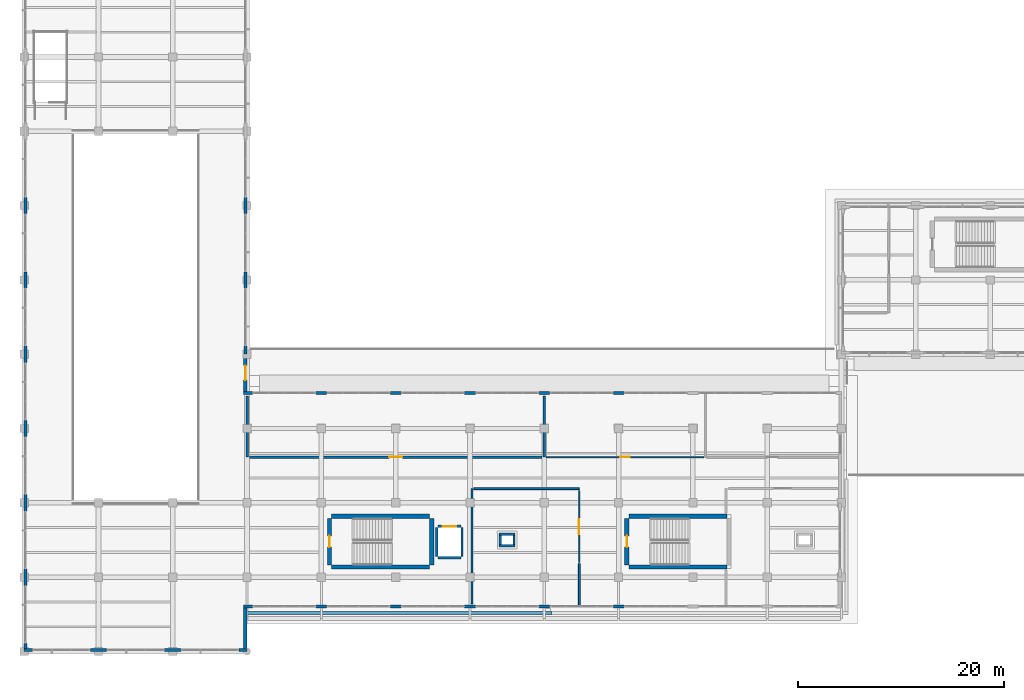
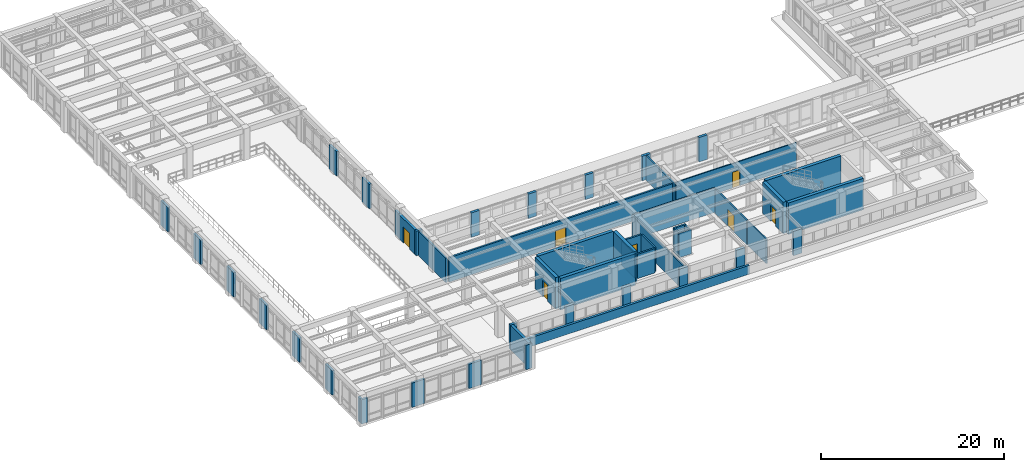
# One storey, part 47 of 67: 52 walls, 7 doors, 7 openings.
"""IFC4 building model written with IfcOpenShell, lengths in metres."""

from ifc_helpers import new_model, si_unit, direction, frame, frame_2d, origin, place, context, subcontext, project, spatial, rectangle, extrude, material, layer, layer_set, type_object, element, fill, save


model = new_model("IFC4")

# Units and contexts
model_context = context("Model", 3, precision=1e-05, world=origin(), true_north=direction((0.0, 1.0)))
body_context = subcontext(model_context, "Body", "Model", "MODEL_VIEW")
ifc_project = project(units=[si_unit("LENGTHUNIT", "METRE"), si_unit("AREAUNIT", "SQUARE_METRE"), si_unit("VOLUMEUNIT", "CUBIC_METRE"), si_unit("PLANEANGLEUNIT", "RADIAN"), si_unit("MASSUNIT", "GRAM", prefix="KILO")], contexts=[model_context])

# Site, building, storey
site_placement = place(None, origin())
site = spatial("IfcSite", under=ifc_project, at=site_placement, CompositionType="ELEMENT")
building_placement = place(site_placement, origin())
building = spatial("IfcBuilding", under=site, at=building_placement, Name="Solenvale Faculty of Natural Sciences", CompositionType="ELEMENT")
storey_placement = place(building_placement, frame((0.0, 0.0, 13.5)))
storey = spatial("IfcBuildingStorey", under=building, at=storey_placement, Name="L03", CompositionType="ELEMENT", Elevation=13.5)

# Walls
ifc_material_1 = material(Name="Architectural bronze concrete 40 MPa", Category="concrete")
ifc_layer_1 = layer(ifc_material_1, 0.300048828125)
ifc_layer_set_1 = layer_set([ifc_layer_1], Name="Architectural bronze concrete 40 MPa")
wall_type_1 = type_object("IfcWallType", Name="WL-EXT-BRZ-300", PredefinedType="STANDARD", material=ifc_layer_set_1)
wall_1_placement = place(storey_placement, frame((87.152099609375, 18.134033203125, 0.0), z_axis=(0.0, 0.0, 1.0), x_axis=(-0.999999990118, -0.00014058533, 0.0)))
element("IfcWall", 1, at=wall_1_placement, inside=storey, type_object=wall_type_1, Name="L03 Sliding-Tray Rough Bronze Concrete Band 3", PredefinedType="PARAPET", context=body_context, shape_type="SweptSolid", body=[
    extrude(rectangle(XDim=29.522216796875, YDim=0.300048828125, at=frame_2d((14.76123046875, 0.0))), origin(), (0.0, 0.0, 1.0), 1.179931640625),
])
ifc_layer_2 = layer(ifc_material_1, 0.324951171875)
ifc_layer_set_2 = layer_set([ifc_layer_2], Name="Architectural bronze concrete 40 MPa")
wall_type_2 = type_object("IfcWallType", Name="WL-EXT-BRZ-325", PredefinedType="STANDARD", material=ifc_layer_set_2)
wall_2_placement = place(storey_placement, frame((57.27001953125, 18.762451171875, 0.0), z_axis=(0.0, 0.0, 1.0), x_axis=(1.0, 0.0, 0.0)))
element("IfcWall", 2, at=wall_2_placement, inside=storey, type_object=wall_type_2, Name="L03 Facade Closure Pier 6.B1-L", PredefinedType="STANDARD", context=body_context, shape_type="SweptSolid", body=[
    extrude(rectangle(XDim=0.847900390625, YDim=0.324951171875, at=frame_2d((0.423828125, 0.0))), origin(), (0.0, 0.0, 1.0), 3.260009765625),
])
for number, where, z_axis, x_axis, name in (
    (3, (64.281982421875, 18.762451171875, 0.0), (0.0, 0.0, 1.0), (1.0, 0.0, 0.0), "L03 Facade Closure Pier 6.B1-R"),
    (4, (71.48193359375, 18.762451171875, 0.0), (0.0, 0.0, 1.0), (1.0, 0.0, 0.0), "L03 Facade Closure Pier 6.B2-R"),
    (5, (78.681884765625, 18.762451171875, 0.0), (0.0, 0.0, 1.0), (1.0, 0.0, 0.0), "L03 Facade Closure Pier 6.B3-R"),
):
    element("IfcWall", number, at=place(storey_placement, frame(where, z_axis=z_axis, x_axis=x_axis)), inside=storey, type_object=wall_type_2, Name=name, PredefinedType="STANDARD", context=body_context, shape_type="SweptSolid", body=[
        extrude(rectangle(XDim=1.0361328125, YDim=0.324951171875, at=frame_2d((0.51806640625, 0.0))), origin(), (0.0, 0.0, 1.0), 3.260009765625),
    ])
for number, where, z_axis, x_axis, name in (
    (6, (85.882080078125, 18.762451171875, 0.0), (0.0, 0.0, 1.0), (1.0, 0.0, 0.0), "L03 Facade Closure Pier 6.B4-R"),
    (7, (93.08203125, 18.762451171875, 0.0), (0.0, 0.0, 1.0), (1.0, 0.0, 0.0), "L03 Facade Closure Pier 6.B5-R"),
    (8, (94.117919921875, 39.4375, 0.0), (0.0, 0.0, 1.0), (-1.0, 0.0, 0.0), "L03 Facade Closure Pier 8.B3-R"),
    (9, (86.91796875, 39.4375, 0.0), (0.0, 0.0, 1.0), (-1.0, 0.0, 0.0), "L03 Facade Closure Pier 8.B4-R"),
):
    element("IfcWall", number, at=place(storey_placement, frame(where, z_axis=z_axis, x_axis=x_axis)), inside=storey, type_object=wall_type_2, Name=name, PredefinedType="STANDARD", context=body_context, shape_type="SweptSolid", body=[
        extrude(rectangle(XDim=1.035888671875, YDim=0.324951171875, at=frame_2d((0.51806640625, 0.0))), origin(), (0.0, 0.0, 1.0), 3.260009765625),
    ])
for number, where, z_axis, x_axis, name in (
    (10, (79.718017578125, 39.4375, 0.0), (0.0, 0.0, 1.0), (-1.0, 0.0, 0.0), "L03 Facade Closure Pier 8.B5-R"),
    (11, (72.51806640625, 39.4375, 0.0), (0.0, 0.0, 1.0), (-1.0, 0.0, 0.0), "L03 Facade Closure Pier 8.B6-R"),
    (12, (65.318115234375, 39.4375, 0.0), (0.0, 0.0, 1.0), (-1.0, 0.0, 0.0), "L03 Facade Closure Pier 8.B7-R"),
):
    element("IfcWall", number, at=place(storey_placement, frame(where, z_axis=z_axis, x_axis=x_axis)), inside=storey, type_object=wall_type_2, Name=name, PredefinedType="STANDARD", context=body_context, shape_type="SweptSolid", body=[
        extrude(rectangle(XDim=1.0361328125, YDim=0.324951171875, at=frame_2d((0.51806640625, 0.0))), origin(), (0.0, 0.0, 1.0), 3.260009765625),
    ])
wall_3_placement = place(storey_placement, frame((58.117919921875, 39.4375, 0.0), z_axis=(0.0, 0.0, 1.0), x_axis=(-1.0, 0.0, 0.0)))
element("IfcWall", 13, at=wall_3_placement, inside=storey, type_object=wall_type_2, Name="L03 Facade Closure Pier 8.B8-R", PredefinedType="STANDARD", context=body_context, shape_type="SweptSolid", body=[
    extrude(rectangle(XDim=0.847900390625, YDim=0.324951171875, at=frame_2d((0.423828125, 0.0))), origin(), (0.0, 0.0, 1.0), 3.260009765625),
])
ifc_material_2 = material(Name="Precast concrete 40 MPa", Category="concrete")
ifc_layer_3 = layer(ifc_material_2, 0.284912109375)
ifc_layer_set_3 = layer_set([ifc_layer_3], Name="Precast concrete 40 MPa")
wall_type_3 = type_object("IfcWallType", Name="WL-EXT-PRC-285", PredefinedType="STANDARD", material=ifc_layer_set_3)
wall_4_placement = place(storey_placement, frame((57.45751953125, 43.199951171875, 0.0), z_axis=(0.0, 0.0, 1.0), x_axis=(0.0, 1.0, 0.0)))
element("IfcWall", 14, at=wall_4_placement, inside=storey, type_object=wall_type_3, Name="L03 Facade Closure Pier 1.B2-L", PredefinedType="STANDARD", context=body_context, shape_type="SweptSolid", body=[
    extrude(rectangle(XDim=0.7880859375, YDim=0.284912109375, at=frame_2d((0.39404296875, 0.0))), origin(), (0.0, 0.0, 1.0), 3.260009765625),
])
for number, where, z_axis, x_axis, name in (
    (15, (57.45751953125, 49.612060546875, 0.0), (0.0, 0.0, 1.0), (0.0, 1.0, 0.0), "L03 Facade Closure Pier 1.B2-R"),
    (16, (57.45751953125, 56.81201171875, 0.0), (0.0, 0.0, 1.0), (0.0, 1.0, 0.0), "L03 Facade Closure Pier 1.B3-R"),
    (17, (36.142578125, 58.387939453125, 0.0), (0.0, 0.0, 1.0), (0.0, -1.0, 0.0), "L03 Facade Closure Pier 3.B5-R"),
    (18, (36.142578125, 51.18798828125, 0.0), (0.0, 0.0, 1.0), (0.0, -1.0, 0.0), "L03 Facade Closure Pier 3.B6-R"),
    (19, (36.142578125, 43.988037109375, 0.0), (0.0, 0.0, 1.0), (0.0, -1.0, 0.0), "L03 Facade Closure Pier 3.B7-R"),
):
    element("IfcWall", number, at=place(storey_placement, frame(where, z_axis=z_axis, x_axis=x_axis)), inside=storey, type_object=wall_type_3, Name=name, PredefinedType="STANDARD", context=body_context, shape_type="SweptSolid", body=[
        extrude(rectangle(XDim=1.575927734375, YDim=0.284912109375, at=frame_2d((0.7880859375, 0.0))), origin(), (0.0, 0.0, 1.0), 3.260009765625),
    ])
wall_5_placement = place(storey_placement, frame((36.142578125, 36.7880859375, 0.0), z_axis=(0.0, 0.0, 1.0), x_axis=(0.0, -1.0, 0.0)))
element("IfcWall", 20, at=wall_5_placement, inside=storey, type_object=wall_type_3, Name="L03 Facade Closure Pier 3.B8-R", PredefinedType="STANDARD", context=body_context, shape_type="SweptSolid", body=[
    extrude(rectangle(XDim=1.576171875, YDim=0.284912109375, at=frame_2d((0.7880859375, 0.0))), origin(), (0.0, 0.0, 1.0), 3.260009765625),
])
for number, where, z_axis, x_axis, name in (
    (21, (36.142578125, 29.587890625, 0.0), (0.0, 0.0, 1.0), (0.0, -1.0, 0.0), "L03 Facade Closure Pier 3.B9-R"),
    (22, (36.142578125, 22.387939453125, 0.0), (0.0, 0.0, 1.0), (0.0, -1.0, 0.0), "L03 Facade Closure Pier 3.B10-R"),
):
    element("IfcWall", number, at=place(storey_placement, frame(where, z_axis=z_axis, x_axis=x_axis)), inside=storey, type_object=wall_type_3, Name=name, PredefinedType="STANDARD", context=body_context, shape_type="SweptSolid", body=[
        extrude(rectangle(XDim=1.575927734375, YDim=0.284912109375, at=frame_2d((0.7880859375, 0.0))), origin(), (0.0, 0.0, 1.0), 3.260009765625),
    ])
wall_6_placement = place(storey_placement, frame((36.142578125, 15.18798828125, 0.0), z_axis=(0.0, 0.0, 1.0), x_axis=(0.0, -1.0, 0.0)))
element("IfcWall", 23, at=wall_6_placement, inside=storey, type_object=wall_type_3, Name="L03 Facade Closure Pier 3.B11-R", PredefinedType="STANDARD", context=body_context, shape_type="SweptSolid", body=[
    extrude(rectangle(XDim=0.5029296875, YDim=0.284912109375, at=frame_2d((0.25146484375, 0.0))), origin(), (0.0, 0.0, 1.0), 3.260009765625),
])
wall_7_placement = place(storey_placement, frame((36.0, 14.54248046875, 0.0), z_axis=(0.0, 0.0, 1.0), x_axis=(1.0, 0.0, 0.0)))
element("IfcWall", 24, at=wall_7_placement, inside=storey, type_object=wall_type_3, Name="L03 Facade Closure Pier 4.B1-L", PredefinedType="STANDARD", context=body_context, shape_type="SweptSolid", body=[
    extrude(rectangle(XDim=0.7880859375, YDim=0.284912109375, at=frame_2d((0.39404296875, 0.0))), origin(), (0.0, 0.0, 1.0), 3.260009765625),
])
for number, where, z_axis, x_axis, name in (
    (25, (42.412109375, 14.54248046875, 0.0), (0.0, 0.0, 1.0), (1.0, 0.0, 0.0), "L03 Facade Closure Pier 4.B1-R"),
    (26, (49.612060546875, 14.54248046875, 0.0), (0.0, 0.0, 1.0), (1.0, 0.0, 0.0), "L03 Facade Closure Pier 4.B2-R"),
):
    element("IfcWall", number, at=place(storey_placement, frame(where, z_axis=z_axis, x_axis=x_axis)), inside=storey, type_object=wall_type_3, Name=name, PredefinedType="STANDARD", context=body_context, shape_type="SweptSolid", body=[
        extrude(rectangle(XDim=1.575927734375, YDim=0.284912109375, at=frame_2d((0.7880859375, 0.0))), origin(), (0.0, 0.0, 1.0), 3.260009765625),
    ])
wall_8_placement = place(storey_placement, frame((56.81201171875, 14.54248046875, 0.0), z_axis=(0.0, 0.0, 1.0), x_axis=(1.0, 0.0, 0.0)))
element("IfcWall", 27, at=wall_8_placement, inside=storey, type_object=wall_type_3, Name="L03 Facade Closure Pier 4.B3-R", PredefinedType="STANDARD", context=body_context, shape_type="SweptSolid", body=[
    extrude(rectangle(XDim=0.7880859375, YDim=0.284912109375, at=frame_2d((0.39404296875, 0.0))), origin(), (0.0, 0.0, 1.0), 3.260009765625),
])

# Wall, opening, door
ifc_layer_4 = layer(ifc_material_2, 0.330078125)
ifc_layer_set_4 = layer_set([ifc_layer_4], Name="Precast concrete 40 MPa")
wall_type_4 = type_object("IfcWallType", Name="WL-EXT-PRC-330", PredefinedType="STANDARD", material=ifc_layer_set_4)
wall_9_placement = place(storey_placement, frame((57.43505859375, 43.199951171875, 0.0), z_axis=(0.0, 0.0, 1.0), x_axis=(0.0, -1.0, 0.0)))
wall_9 = element("IfcWall", 28, at=wall_9_placement, inside=storey, type_object=wall_type_4, Name="L03 Exterior Wall 1.1", PredefinedType="STANDARD", context=body_context, shape_type="SweptSolid", body=[
    extrude(rectangle(XDim=3.599853515625, YDim=0.330078125, at=frame_2d((1.7998046875, 0.0))), origin(), (0.0, 0.0, 1.0), 3.260009765625),
])
opening_1_placement = place(wall_9_placement, frame((1.10009765625, 0.0, 0.0)))
opening_1 = element("IfcOpeningElement", 29, at=opening_1_placement, cuts=wall_9, Name="Opening TD-39", PredefinedType="OPENING", context=body_context, shape_type="SweptSolid", body=[
    extrude(rectangle(XDim=1.39990234375, YDim=2.14990234375, at=frame_2d((0.699951171875, 1.074951171875))), frame((0.0, 0.175048828125, 0.0), z_axis=(0.0, -1.0, 0.0), x_axis=(1.0, 0.0, 0.0)), (0.0, 0.0, 1.0), 0.35009765625),
])
ifc_material_3 = material(Name="Anodised bronze aluminium", Category="aluminium")
door_type_1 = type_object("IfcDoorType", Name="DR-TER-1400x2150", OperationType="NOTDEFINED", PredefinedType="DOOR", material=ifc_material_3)
door_1_placement = place(opening_1_placement, origin())
door_1 = element("IfcDoor", 30, at=door_1_placement, inside=storey, type_object=door_type_1, Name="L03 Exterior Terrace Door TD-39", OperationType="DOUBLE_DOOR_SINGLE_SWING", OverallHeight=2.14990234375, OverallWidth=1.39990234375, PredefinedType="DOOR", context=body_context, shape_type="SweptSolid", body=[
    extrude(rectangle(XDim=1.39990234375, YDim=2.14990234375, at=frame_2d((0.699951171875, 1.074951171875))), frame((0.0, 0.02490234375, 0.0), z_axis=(0.0, -1.0, 0.0), x_axis=(1.0, 0.0, 0.0)), (0.0, 0.0, 1.0), 0.050048828125),
])
fill(opening_1, door_1)

# Walls
wall_10_placement = place(storey_placement, frame((57.43505859375, 18.60009765625, 0.0), z_axis=(0.0, 0.0, 1.0), x_axis=(0.0, -1.0, 0.0)))
element("IfcWall", 31, at=wall_10_placement, inside=storey, type_object=wall_type_4, Name="L03 Exterior Wall 5.1", PredefinedType="STANDARD", context=body_context, shape_type="SweptSolid", body=[
    extrude(rectangle(XDim=3.9150390625, YDim=0.330078125, at=frame_2d((1.95751953125, 0.0))), origin(), (0.0, 0.0, 1.0), 3.260009765625),
])
ifc_material_4 = material(Name="Gypsum fire-rated laboratory partition")
ifc_layer_5 = layer(ifc_material_4, 0.175048828125)
ifc_layer_set_5 = layer_set([ifc_layer_5], Name="Gypsum fire-rated laboratory partition")
wall_type_5 = type_object("IfcWallType", Name="WL-LAB-175", PredefinedType="PARTITIONING", material=ifc_layer_set_5)
wall_11_placement = place(storey_placement, frame((79.39990234375, 19.02392578125, 0.0), z_axis=(0.0, 0.0, 1.0), x_axis=(0.0, 1.0, 0.0)))
element("IfcWall", 32, at=wall_11_placement, inside=storey, type_object=wall_type_5, Name="L03 Biochemistry Teaching Laboratory Partition 1", PredefinedType="PARTITIONING", context=body_context, shape_type="SweptSolid", body=[
    extrude(rectangle(XDim=11.156005859375, YDim=0.175048828125, at=frame_2d((5.578125, 0.0))), origin(), (0.0, 0.0, 1.0), 3.260009765625),
])
wall_12_placement = place(storey_placement, frame((79.5869140625, 30.179931640625, 0.0), z_axis=(0.0, 0.0, 1.0), x_axis=(1.0, 0.0, 0.0)))
element("IfcWall", 33, at=wall_12_placement, inside=storey, type_object=wall_type_5, Name="L03 Biochemistry Teaching Laboratory Partition 2", PredefinedType="PARTITIONING", context=body_context, shape_type="SweptSolid", body=[
    extrude(rectangle(XDim=10.193115234375, YDim=0.175048828125, at=frame_2d((5.0966796875, 0.0))), origin(), (0.0, 0.0, 1.0), 3.260009765625),
])

# Wall, opening, door
wall_13_placement = place(storey_placement, frame((89.780029296875, 29.992919921875, 0.0), z_axis=(0.0, 0.0, 1.0), x_axis=(0.0, -1.0, 0.0)))
wall_13 = element("IfcWall", 34, at=wall_13_placement, inside=storey, type_object=wall_type_5, Name="L03 Biochemistry Teaching Laboratory Partition 3", PredefinedType="PARTITIONING", context=body_context, shape_type="SweptSolid", body=[
    extrude(rectangle(XDim=6.992919921875, YDim=0.175048828125, at=frame_2d((3.49658203125, 0.0))), origin(), (0.0, 0.0, 1.0), 3.260009765625),
])
opening_2_placement = place(wall_13_placement, frame((2.77099609375, 0.0, 0.0)))
opening_2 = element("IfcOpeningElement", 35, at=opening_2_placement, cuts=wall_13, Name="Opening D-L03-03", PredefinedType="OPENING", context=body_context, shape_type="SweptSolid", body=[
    extrude(rectangle(XDim=1.449951171875, YDim=2.199951171875, at=frame_2d((0.72509765625, 1.10009765625))), frame((0.0, 0.097412109375, 0.0), z_axis=(0.0, -1.0, 0.0), x_axis=(1.0, 0.0, 0.0)), (0.0, 0.0, 1.0), 0.195068359375),
])
ifc_material_5 = material(Name="Oak acoustic timber leaf", Category="wood")
door_type_2 = type_object("IfcDoorType", Name="DR-LAB-1450x2200", OperationType="NOTDEFINED", PredefinedType="DOOR", material=ifc_material_5)
door_2_placement = place(opening_2_placement, origin())
door_2 = element("IfcDoor", 36, at=door_2_placement, inside=storey, type_object=door_type_2, Name="L03 Biochemistry Teaching Laboratory Door", OperationType="SINGLE_SWING_LEFT", OverallHeight=2.199951171875, OverallWidth=1.449951171875, PredefinedType="DOOR", context=body_context, shape_type="SweptSolid", body=[
    extrude(rectangle(XDim=1.449951171875, YDim=2.199951171875, at=frame_2d((0.72509765625, 1.10009765625))), frame((0.0, 0.02490234375, 0.0), z_axis=(0.0, -1.0, 0.0), x_axis=(1.0, 0.0, 0.0)), (0.0, 0.0, 1.0), 0.050048828125),
])
fill(opening_2, door_2)

# Walls
wall_14_placement = place(storey_placement, frame((89.800048828125, 22.90087890625, 0.0), z_axis=(0.0, 0.0, 1.0), x_axis=(0.0, -1.0, 0.0)))
element("IfcWall", 37, at=wall_14_placement, inside=storey, type_object=wall_type_5, Name="L03 Biochemistry Teaching Laboratory Partition 20", PredefinedType="PARTITIONING", context=body_context, shape_type="SweptSolid", body=[
    extrude(rectangle(XDim=4.098876953125, YDim=0.175048828125, at=frame_2d((2.04931640625, 0.0))), origin(), (0.0, 0.0, 1.0), 3.260009765625),
])
ifc_layer_6 = layer(ifc_material_4, 0.22802734375)
ifc_layer_set_6 = layer_set([ifc_layer_6], Name="Gypsum fire-rated laboratory partition")
wall_type_6 = type_object("IfcWallType", Name="WL-LAB-228", PredefinedType="PARTITIONING", material=ifc_layer_set_6)
for number, where, z_axis, x_axis, name in (
    (38, (57.6201171875, 33.219970703125, 0.0), (0.0, 0.0, 1.0), (0.0, 1.0, 0.0), "L03 Terrace Ecology Laboratory Partition 1"),
    (39, (86.39990234375, 39.14892578125, 0.0), (0.0, 0.0, 1.0), (0.0, -1.0, 0.0), "L03 Terrace Ecology Laboratory Partition 3"),
):
    element("IfcWall", number, at=place(storey_placement, frame(where, z_axis=z_axis, x_axis=x_axis)), inside=storey, type_object=wall_type_6, Name=name, PredefinedType="PARTITIONING", context=body_context, shape_type="SweptSolid", body=[
        extrude(rectangle(XDim=5.928955078125, YDim=0.22802734375, at=frame_2d((2.96435546875, 0.0))), origin(), (0.0, 0.0, 1.0), 3.260009765625),
    ])

# Wall, opening, door
wall_15_placement = place(storey_placement, frame((86.159912109375, 33.219970703125, 0.0), z_axis=(0.0, 0.0, 1.0), x_axis=(-1.0, 0.0, 0.0)))
wall_15 = element("IfcWall", 40, at=wall_15_placement, inside=storey, type_object=wall_type_6, Name="L03 Terrace Ecology Laboratory Partition 4", PredefinedType="PARTITIONING", context=body_context, shape_type="SweptSolid", body=[
    extrude(rectangle(XDim=28.2998046875, YDim=0.22802734375, at=frame_2d((14.14990234375, 0.0))), origin(), (0.0, 0.0, 1.0), 3.260009765625),
])
opening_3_placement = place(wall_15_placement, frame((13.510009765625, 0.0, 0.0)))
opening_3 = element("IfcOpeningElement", 41, at=opening_3_placement, cuts=wall_15, Name="Opening D-L03-05", PredefinedType="OPENING", context=body_context, shape_type="SweptSolid", body=[
    extrude(rectangle(XDim=1.280029296875, YDim=2.14990234375, at=frame_2d((0.64013671875, 1.074951171875))), frame((0.0, 0.1240234375, 0.0), z_axis=(0.0, -1.0, 0.0), x_axis=(1.0, 0.0, 0.0)), (0.0, 0.0, 1.0), 0.248046875),
])
door_type_3 = type_object("IfcDoorType", Name="DR-LAB-1280x2150", OperationType="NOTDEFINED", PredefinedType="DOOR", material=ifc_material_5)
door_3_placement = place(opening_3_placement, origin())
door_3 = element("IfcDoor", 42, at=door_3_placement, inside=storey, type_object=door_type_3, Name="L03 Terrace Ecology Laboratory Door", OperationType="SINGLE_SWING_LEFT", OverallHeight=2.14990234375, OverallWidth=1.280029296875, PredefinedType="DOOR", context=body_context, shape_type="SweptSolid", body=[
    extrude(rectangle(XDim=1.280029296875, YDim=2.14990234375, at=frame_2d((0.64013671875, 1.074951171875))), frame((0.0, 0.02490234375, 0.0), z_axis=(0.0, -1.0, 0.0), x_axis=(1.0, 0.0, 0.0)), (0.0, 0.0, 1.0), 0.050048828125),
])
fill(opening_3, door_3)

ifc_material_6 = material(Name="Acoustic stud gypsum partition")
ifc_layer_7 = layer(ifc_material_6, 0.139892578125)
ifc_layer_set_7 = layer_set([ifc_layer_7], Name="Acoustic stud gypsum partition")
wall_type_7 = type_object("IfcWallType", Name="WL-OFF-140", PredefinedType="PARTITIONING", material=ifc_layer_set_7)
wall_16_placement = place(storey_placement, frame((101.847900390625, 33.219970703125, 0.0), z_axis=(0.0, 0.0, 1.0), x_axis=(-1.0, 0.0, 0.0)))
wall_16 = element("IfcWall", 43, at=wall_16_placement, inside=storey, type_object=wall_type_7, Name="L03 Graduate Research Office Partition 4", PredefinedType="PARTITIONING", context=body_context, shape_type="SweptSolid", body=[
    extrude(rectangle(XDim=15.251953125, YDim=0.139892578125, at=frame_2d((7.6259765625, 0.0))), origin(), (0.0, 0.0, 1.0), 3.260009765625),
])
opening_4_placement = place(wall_16_placement, frame((7.15087890625, 0.0, 0.0)))
opening_4 = element("IfcOpeningElement", 44, at=opening_4_placement, cuts=wall_16, Name="Opening D-L03-06", PredefinedType="OPENING", context=body_context, shape_type="SweptSolid", body=[
    extrude(rectangle(XDim=0.949951171875, YDim=2.10009765625, at=frame_2d((0.47509765625, 1.050048828125))), frame((0.0, 0.079833984375, 0.0), z_axis=(0.0, -1.0, 0.0), x_axis=(1.0, 0.0, 0.0)), (0.0, 0.0, 1.0), 0.159912109375),
])
door_type_4 = type_object("IfcDoorType", Name="DR-OFF-0950x2100", OperationType="NOTDEFINED", PredefinedType="DOOR", material=ifc_material_5)
door_4_placement = place(opening_4_placement, origin())
door_4 = element("IfcDoor", 45, at=door_4_placement, inside=storey, type_object=door_type_4, Name="L03 Graduate Research Office Door", OperationType="SINGLE_SWING_RIGHT", OverallHeight=2.10009765625, OverallWidth=0.949951171875, PredefinedType="DOOR", context=body_context, shape_type="SweptSolid", body=[
    extrude(rectangle(XDim=0.949951171875, YDim=2.10009765625, at=frame_2d((0.47509765625, 1.050048828125))), frame((0.0, 0.02490234375, 0.0), z_axis=(0.0, -1.0, 0.0), x_axis=(1.0, 0.0, 0.0)), (0.0, 0.0, 1.0), 0.050048828125),
])
fill(opening_4, door_4)

# Wall
ifc_material_7 = material(Name="Concrete 40 MPa", Category="concrete")
ifc_layer_8 = layer(ifc_material_7, 0.219970703125)
ifc_layer_set_8 = layer_set([ifc_layer_8], Name="Concrete 40 MPa")
wall_type_8 = type_object("IfcWallType", Name="WL-SHF-220", PredefinedType="STANDARD", material=ifc_layer_set_8)
wall_17_placement = place(storey_placement, frame((76.080078125, 23.469970703125, 0.0), z_axis=(0.0, 0.0, 1.0), x_axis=(1.0, 0.0, 0.0)))
element("IfcWall", 46, at=wall_17_placement, inside=storey, type_object=wall_type_8, Name="Elevator LG-01 L03 Shaft Wall S", PredefinedType="STANDARD", context=body_context, shape_type="SweptSolid", body=[
    extrude(rectangle(XDim=2.239990234375, YDim=0.219970703125, at=frame_2d((1.1201171875, 0.0))), origin(), (0.0, 0.0, 1.0), 3.260009765625),
])

# Wall, opening, door
wall_18_placement = place(storey_placement, frame((76.080078125, 26.530029296875, 0.0), z_axis=(0.0, 0.0, 1.0), x_axis=(1.0, 0.0, 0.0)))
wall_18 = element("IfcWall", 47, at=wall_18_placement, inside=storey, type_object=wall_type_8, Name="Elevator LG-01 L03 Shaft Wall N", PredefinedType="STANDARD", context=body_context, shape_type="SweptSolid", body=[
    extrude(rectangle(XDim=2.239990234375, YDim=0.219970703125, at=frame_2d((1.1201171875, 0.0))), origin(), (0.0, 0.0, 1.0), 3.260009765625),
])
opening_5_placement = place(wall_18_placement, frame((0.469970703125, 0.0, 0.0)))
opening_5 = element("IfcOpeningElement", 48, at=opening_5_placement, cuts=wall_18, Name="Opening LD-LG-01-L03", PredefinedType="OPENING", context=body_context, shape_type="SweptSolid", body=[
    extrude(rectangle(XDim=1.300048828125, YDim=2.199951171875, at=frame_2d((0.64990234375, 1.10009765625))), frame((0.0, 0.119873046875, 0.0), z_axis=(0.0, -1.0, 0.0), x_axis=(1.0, 0.0, 0.0)), (0.0, 0.0, 1.0), 0.239990234375),
])
ifc_material_8 = material(Name="Stainless steel Grade 304", Category="steel")
door_type_5 = type_object("IfcDoorType", Name="DR-LIFT-1300x2200", OperationType="NOTDEFINED", PredefinedType="DOOR", material=ifc_material_8)
door_5_placement = place(opening_5_placement, origin())
door_5 = element("IfcDoor", 49, at=door_5_placement, inside=storey, type_object=door_type_5, Name="Elevator LG-01 L03 Sliding Landing Door", OperationType="SLIDING_TO_LEFT", OverallHeight=2.199951171875, OverallWidth=1.300048828125, PredefinedType="DOOR", context=body_context, shape_type="SweptSolid", body=[
    extrude(rectangle(XDim=1.300048828125, YDim=2.199951171875, at=frame_2d((0.64990234375, 1.10009765625))), frame((0.0, 0.02490234375, 0.0), z_axis=(0.0, -1.0, 0.0), x_axis=(1.0, 0.0, 0.0)), (0.0, 0.0, 1.0), 0.050048828125),
])
fill(opening_5, door_5)

# Walls
for number, where, z_axis, x_axis, name in (
    (50, (75.969970703125, 23.580078125, 0.0), (0.0, 0.0, 1.0), (0.0, 1.0, 0.0), "Elevator LG-01 L03 Shaft Wall W"),
    (51, (78.429931640625, 23.580078125, 0.0), (0.0, 0.0, 1.0), (0.0, 1.0, 0.0), "Elevator LG-01 L03 Shaft Wall E"),
):
    element("IfcWall", number, at=place(storey_placement, frame(where, z_axis=z_axis, x_axis=x_axis)), inside=storey, type_object=wall_type_8, Name=name, PredefinedType="STANDARD", context=body_context, shape_type="SweptSolid", body=[
        extrude(rectangle(XDim=2.83984375, YDim=0.219970703125, at=frame_2d((1.419921875, 0.0))), origin(), (0.0, 0.0, 1.0), 3.260009765625),
    ])
for number, where, z_axis, x_axis, name in (
    (52, (82.030029296875, 24.639892578125, 0.0), (0.0, 0.0, 1.0), (1.0, 0.0, 0.0), "L03 Service Riser Shaft 2 Wall S"),
    (53, (82.030029296875, 25.760009765625, 0.0), (0.0, 0.0, 1.0), (1.0, 0.0, 0.0), "L03 Service Riser Shaft 2 Wall N"),
):
    element("IfcWall", number, at=place(storey_placement, frame(where, z_axis=z_axis, x_axis=x_axis)), inside=storey, type_object=wall_type_8, Name=name, PredefinedType="STANDARD", context=body_context, shape_type="SweptSolid", body=[
        extrude(rectangle(XDim=1.5400390625, YDim=0.219970703125, at=frame_2d((0.77001953125, 0.0))), origin(), (0.0, 0.0, 1.0), 3.260009765625),
    ])
for number, where, z_axis, x_axis, name in (
    (54, (82.139892578125, 24.75, 0.0), (0.0, 0.0, 1.0), (0.0, 1.0, 0.0), "L03 Service Riser Shaft 2 Wall W"),
    (55, (83.4599609375, 24.75, 0.0), (0.0, 0.0, 1.0), (0.0, 1.0, 0.0), "L03 Service Riser Shaft 2 Wall E"),
):
    element("IfcWall", number, at=place(storey_placement, frame(where, z_axis=z_axis, x_axis=x_axis)), inside=storey, type_object=wall_type_8, Name=name, PredefinedType="STANDARD", context=body_context, shape_type="SweptSolid", body=[
        extrude(rectangle(XDim=0.89990234375, YDim=0.219970703125, at=frame_2d((0.449951171875, 0.0))), origin(), (0.0, 0.0, 1.0), 3.260009765625),
    ])
ifc_material_9 = material(Name="Concrete 50 MPa", Category="concrete")
ifc_layer_9 = layer(ifc_material_9, 0.409912109375)
ifc_layer_set_9 = layer_set([ifc_layer_9], Name="Concrete 50 MPa")
wall_type_9 = type_object("IfcWallType", Name="WL-SHR-410", PredefinedType="SHEAR", material=ifc_layer_set_9)
for number, where, z_axis, x_axis, name in (
    (56, (65.800048828125, 22.594970703125, 0.0), (0.0, 0.0, 1.0), (1.0, 0.0, 0.0), "Core C3 L03 Shear Wall S"),
    (57, (65.800048828125, 27.5048828125, 0.0), (0.0, 0.0, 1.0), (1.0, 0.0, 0.0), "Core C3 L03 Shear Wall N"),
):
    element("IfcWall", number, at=place(storey_placement, frame(where, z_axis=z_axis, x_axis=x_axis)), inside=storey, type_object=wall_type_9, Name=name, PredefinedType="SHEAR", context=body_context, shape_type="SweptSolid", body=[
        extrude(rectangle(XDim=9.5, YDim=0.409912109375, at=frame_2d((4.75, 0.0))), origin(), (0.0, 0.0, 1.0), 4.219970703125),
    ])

# Wall, opening, door
wall_19_placement = place(storey_placement, frame((65.594970703125, 22.800048828125, 0.0), z_axis=(0.0, 0.0, 1.0), x_axis=(0.0, 1.0, 0.0)))
wall_19 = element("IfcWall", 58, at=wall_19_placement, inside=storey, type_object=wall_type_9, Name="Core C3 L03 Shear Wall W", PredefinedType="SHEAR", context=body_context, shape_type="SweptSolid", body=[
    extrude(rectangle(XDim=4.5, YDim=0.409912109375, at=frame_2d((2.25, 0.0))), origin(), (0.0, 0.0, 1.0), 4.219970703125),
])
opening_6_placement = place(wall_19_placement, frame((1.699951171875, 0.0, 0.0)))
opening_6 = element("IfcOpeningElement", 59, at=opening_6_placement, cuts=wall_19, Name="Opening DS-C3-L03", PredefinedType="OPENING", context=body_context, shape_type="SweptSolid", body=[
    extrude(rectangle(XDim=1.10009765625, YDim=2.14990234375, at=frame_2d((0.550048828125, 1.074951171875))), frame((0.0, 0.21484375, 0.0), z_axis=(0.0, -1.0, 0.0), x_axis=(1.0, 0.0, 0.0)), (0.0, 0.0, 1.0), 0.429931640625),
])
ifc_material_10 = material(Name="Galvanised steel S355", Category="steel")
door_type_6 = type_object("IfcDoorType", Name="DR-STAIR-1100x2150", OperationType="NOTDEFINED", PredefinedType="DOOR", material=ifc_material_10)
door_6_placement = place(opening_6_placement, origin())
door_6 = element("IfcDoor", 60, at=door_6_placement, inside=storey, type_object=door_type_6, Name="L03 Stair ST-03 Fire Door", OperationType="SINGLE_SWING_LEFT", OverallHeight=2.14990234375, OverallWidth=1.10009765625, PredefinedType="DOOR", context=body_context, shape_type="SweptSolid", body=[
    extrude(rectangle(XDim=1.10009765625, YDim=2.14990234375, at=frame_2d((0.550048828125, 1.074951171875))), frame((0.0, 0.02490234375, 0.0), z_axis=(0.0, -1.0, 0.0), x_axis=(1.0, 0.0, 0.0)), (0.0, 0.0, 1.0), 0.050048828125),
])
fill(opening_6, door_6)

# Walls
wall_20_placement = place(storey_placement, frame((75.5048828125, 22.800048828125, 0.0), z_axis=(0.0, 0.0, 1.0), x_axis=(0.0, 1.0, 0.0)))
element("IfcWall", 61, at=wall_20_placement, inside=storey, type_object=wall_type_9, Name="Core C3 L03 Shear Wall E", PredefinedType="SHEAR", context=body_context, shape_type="SweptSolid", body=[
    extrude(rectangle(XDim=4.5, YDim=0.409912109375, at=frame_2d((2.25, 0.0))), origin(), (0.0, 0.0, 1.0), 4.219970703125),
])
for number, where, z_axis, x_axis, name in (
    (62, (94.60009765625, 22.594970703125, 0.0), (0.0, 0.0, 1.0), (1.0, 0.0, 0.0), "Core C3B L03 Shear Wall S"),
    (63, (94.60009765625, 27.5048828125, 0.0), (0.0, 0.0, 1.0), (1.0, 0.0, 0.0), "Core C3B L03 Shear Wall N"),
):
    element("IfcWall", number, at=place(storey_placement, frame(where, z_axis=z_axis, x_axis=x_axis)), inside=storey, type_object=wall_type_9, Name=name, PredefinedType="SHEAR", context=body_context, shape_type="SweptSolid", body=[
        extrude(rectangle(XDim=9.5, YDim=0.409912109375, at=frame_2d((4.75, 0.0))), origin(), (0.0, 0.0, 1.0), 4.219970703125),
    ])

# Wall, opening, door
wall_21_placement = place(storey_placement, frame((94.39501953125, 22.800048828125, 0.0), z_axis=(0.0, 0.0, 1.0), x_axis=(0.0, 1.0, 0.0)))
wall_21 = element("IfcWall", 64, at=wall_21_placement, inside=storey, type_object=wall_type_9, Name="Core C3B L03 Shear Wall W", PredefinedType="SHEAR", context=body_context, shape_type="SweptSolid", body=[
    extrude(rectangle(XDim=4.5, YDim=0.409912109375, at=frame_2d((2.25, 0.0))), origin(), (0.0, 0.0, 1.0), 4.219970703125),
])
opening_7_placement = place(wall_21_placement, frame((1.699951171875, 0.0, 0.0)))
opening_7 = element("IfcOpeningElement", 65, at=opening_7_placement, cuts=wall_21, Name="Opening DS-C3B-L03", PredefinedType="OPENING", context=body_context, shape_type="SweptSolid", body=[
    extrude(rectangle(XDim=1.10009765625, YDim=2.14990234375, at=frame_2d((0.550048828125, 1.074951171875))), frame((0.0, 0.21484375, 0.0), z_axis=(0.0, -1.0, 0.0), x_axis=(1.0, 0.0, 0.0)), (0.0, 0.0, 1.0), 0.429931640625),
])
door_7_placement = place(opening_7_placement, origin())
door_7 = element("IfcDoor", 66, at=door_7_placement, inside=storey, type_object=door_type_6, Name="L03 Stair ST-07 Fire Door", OperationType="SINGLE_SWING_LEFT", OverallHeight=2.14990234375, OverallWidth=1.10009765625, PredefinedType="DOOR", context=body_context, shape_type="SweptSolid", body=[
    extrude(rectangle(XDim=1.10009765625, YDim=2.14990234375, at=frame_2d((0.550048828125, 1.074951171875))), frame((0.0, 0.02490234375, 0.0), z_axis=(0.0, -1.0, 0.0), x_axis=(1.0, 0.0, 0.0)), (0.0, 0.0, 1.0), 0.050048828125),
])
fill(opening_7, door_7)

save(model, "model.ifc")
